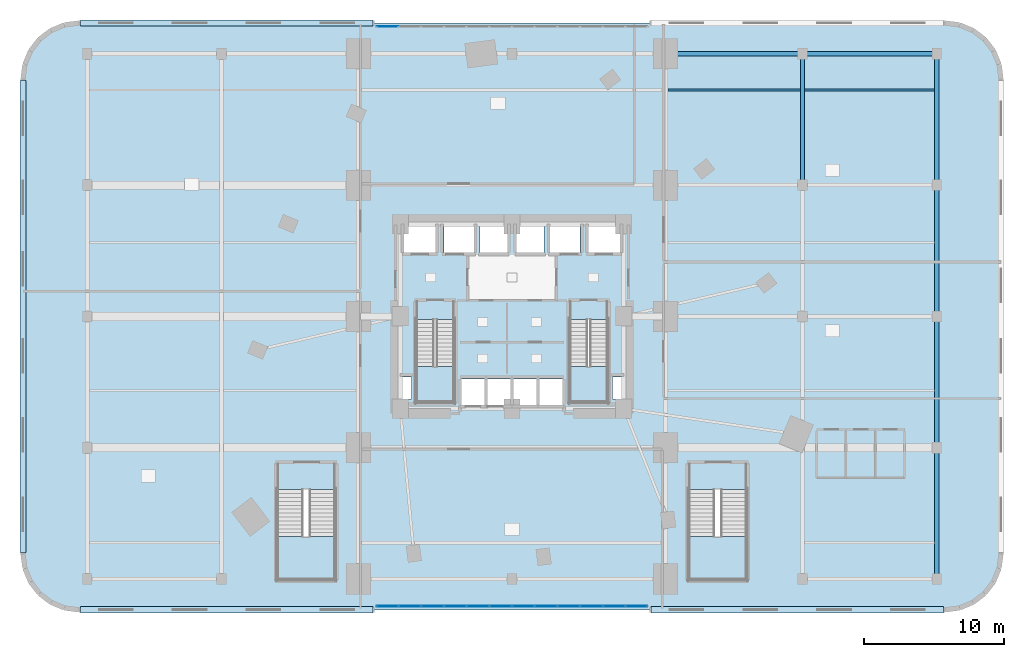
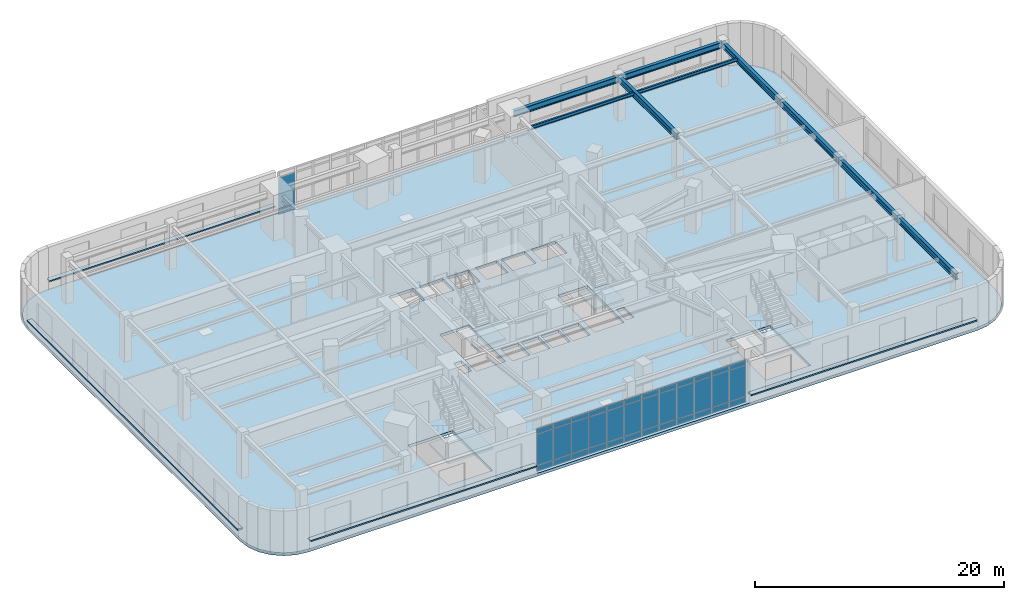
# One storey, part 11 of 19: 42 plates, 9 beams, 5 slabs, 6 elements without a shape of their own.
"""IFC4 building model written with IfcOpenShell, lengths in metres."""

from ifc_helpers import new_model, si_unit, direction, frame, origin, origin_2d, place, context, subcontext, project, spatial, polyline, rectangle, i_section, outline, extrude, material, layer, layer_set, material_profile, profile_set, type_object, element, aggregate, save


model = new_model("IFC4")

# Units and contexts
model_context = context("Model", 3, precision=1e-05, world=origin(), true_north=direction((0.0, 1.0)))
body_context = subcontext(model_context, "Body", "Model", "MODEL_VIEW")
ifc_project = project(units=[si_unit("LENGTHUNIT", "METRE"), si_unit("AREAUNIT", "SQUARE_METRE"), si_unit("VOLUMEUNIT", "CUBIC_METRE"), si_unit("PLANEANGLEUNIT", "RADIAN"), si_unit("MASSUNIT", "GRAM", prefix="KILO")], contexts=[model_context])

# Site, building, storey
site_placement = place(None, origin())
site = spatial("IfcSite", under=ifc_project, at=site_placement, CompositionType="ELEMENT")
building_placement = place(site_placement, origin())
building = spatial("IfcBuilding", under=site, at=building_placement, Name="Ndelora Gate Hotel", CompositionType="ELEMENT")
storey_placement = place(building_placement, frame((0.0, 0.0, 21.5)))
storey = spatial("IfcBuildingStorey", under=building, at=storey_placement, Name="L04", CompositionType="ELEMENT", Elevation=21.5)

# Beams
ifc_material_1 = material(Name="Steel S355", Category="steel")
ifc_material_profile_1 = material_profile(ifc_material_1, i_section(OverallWidth=0.159912109375, OverallDepth=0.330078125, WebThickness=0.007568359375, FlangeThickness=0.011474609375, FilletRadius=0.01806640625, at=origin_2d()), Name="IPE 330")
ifc_profile_set_1 = profile_set([ifc_material_profile_1], Name="Steel S355")
beam_type_1 = type_object("IfcBeamType", Name="BM-JST-330", PredefinedType="JOIST", material=ifc_profile_set_1)
beam_1_placement = place(storey_placement, frame((11.14990234375, 16.199951171875, 4.054931640625), z_axis=(1.0, 0.0, 0.0), x_axis=(0.0, 1.0, 0.0)))
element("IfcBeam", 1, at=beam_1_placement, inside=storey, type_object=beam_type_1, Name="L04 Podium Composite Secondary Joist 4", PredefinedType="JOIST", context=body_context, shape_type="SweptSolid", body=[
    extrude(i_section(OverallWidth=0.159912109375, OverallDepth=0.330078125, WebThickness=0.007568359375, FlangeThickness=0.011474609375, FilletRadius=0.01806640625, at=origin_2d()), origin(), (0.0, 0.0, 1.0), 9.5),
])
beam_2_placement = place(storey_placement, frame((20.949951171875, 16.199951171875, 4.054931640625), z_axis=(1.0, 0.0, 0.0), x_axis=(0.0, 1.0, 0.0)))
element("IfcBeam", 2, at=beam_2_placement, inside=storey, type_object=beam_type_1, Name="L04 Podium Composite Secondary Joist 5", PredefinedType="JOIST", context=body_context, shape_type="SweptSolid", body=[
    extrude(i_section(OverallWidth=0.159912109375, OverallDepth=0.330078125, WebThickness=0.007568359375, FlangeThickness=0.011474609375, FilletRadius=0.01806640625, at=origin_2d()), origin(), (0.0, 0.0, 1.0), 9.300048828125),
])
ifc_material_profile_2 = material_profile(ifc_material_1, i_section(OverallWidth=0.300048828125, OverallDepth=0.60009765625, WebThickness=0.015380859375, FlangeThickness=0.030029296875, FilletRadius=0.027099609375, at=origin_2d()), Name="HEB 600")
ifc_profile_set_2 = profile_set([ifc_material_profile_2], Name="Steel S355")
beam_type_2 = type_object("IfcBeamType", Name="BM-POD-600", PredefinedType="BEAM", material=ifc_profile_set_2)
for number, where, z_axis, x_axis, name in (
    (3, (20.800048828125, 9.39990234375, 3.919921875), (0.0, 1.0, 0.0), (-1.0, 0.0, 0.0), "L04 Podium Longitudinal Girder X=+20.8"),
    (4, (30.39990234375, -18.800048828125, 3.919921875), (0.0, 1.0, 0.0), (-1.0, 0.0, 0.0), "L04 Podium Longitudinal Girder X=+30.4"),
):
    element("IfcBeam", number, at=place(storey_placement, frame(where, z_axis=z_axis, x_axis=x_axis)), inside=storey, type_object=beam_type_2, Name=name, PredefinedType="BEAM", context=body_context, shape_type="SweptSolid", body=[
        extrude(i_section(OverallWidth=0.300048828125, OverallDepth=0.60009765625, WebThickness=0.015380859375, FlangeThickness=0.030029296875, FilletRadius=0.027099609375, at=origin_2d()), origin(), (0.0, 0.0, 1.0), 9.400146484375),
    ])
for number, where, z_axis, x_axis, name in (
    (5, (30.39990234375, -9.39990234375, 3.919921875), (0.0, 1.0, 0.0), (-1.0, 0.0, 0.0), "L04 Podium Longitudinal Girder X=+30.4"),
    (6, (30.39990234375, 0.0, 3.919921875), (0.0, 1.0, 0.0), (-1.0, 0.0, 0.0), "L04 Podium Longitudinal Girder X=+30.4"),
):
    element("IfcBeam", number, at=place(storey_placement, frame(where, z_axis=z_axis, x_axis=x_axis)), inside=storey, type_object=beam_type_2, Name=name, PredefinedType="BEAM", context=body_context, shape_type="SweptSolid", body=[
        extrude(i_section(OverallWidth=0.300048828125, OverallDepth=0.60009765625, WebThickness=0.015380859375, FlangeThickness=0.030029296875, FilletRadius=0.027099609375, at=origin_2d()), origin(), (0.0, 0.0, 1.0), 9.39990234375),
    ])
beam_3_placement = place(storey_placement, frame((30.39990234375, 9.39990234375, 3.919921875), z_axis=(0.0, 1.0, 0.0), x_axis=(-1.0, 0.0, 0.0)))
element("IfcBeam", 7, at=beam_3_placement, inside=storey, type_object=beam_type_2, Name="L04 Podium Longitudinal Girder X=+30.4", PredefinedType="BEAM", context=body_context, shape_type="SweptSolid", body=[
    extrude(i_section(OverallWidth=0.300048828125, OverallDepth=0.60009765625, WebThickness=0.015380859375, FlangeThickness=0.030029296875, FilletRadius=0.027099609375, at=origin_2d()), origin(), (0.0, 0.0, 1.0), 9.400146484375),
])
beam_4_placement = place(storey_placement, frame((11.0, 18.800048828125, 3.919921875), z_axis=(1.0, 0.0, 0.0), x_axis=(0.0, 1.0, 0.0)))
element("IfcBeam", 8, at=beam_4_placement, inside=storey, type_object=beam_type_2, Name="L04 Podium Transverse Girder Y=+18.8", PredefinedType="BEAM", context=body_context, shape_type="SweptSolid", body=[
    extrude(i_section(OverallWidth=0.300048828125, OverallDepth=0.60009765625, WebThickness=0.015380859375, FlangeThickness=0.030029296875, FilletRadius=0.027099609375, at=origin_2d()), origin(), (0.0, 0.0, 1.0), 9.800048828125),
])
beam_5_placement = place(storey_placement, frame((20.800048828125, 18.800048828125, 3.919921875), z_axis=(1.0, 0.0, 0.0), x_axis=(0.0, 1.0, 0.0)))
element("IfcBeam", 9, at=beam_5_placement, inside=storey, type_object=beam_type_2, Name="L04 Podium Transverse Girder Y=+18.8", PredefinedType="BEAM", context=body_context, shape_type="SweptSolid", body=[
    extrude(i_section(OverallWidth=0.300048828125, OverallDepth=0.60009765625, WebThickness=0.015380859375, FlangeThickness=0.030029296875, FilletRadius=0.027099609375, at=origin_2d()), origin(), (0.0, 0.0, 1.0), 9.599853515625),
])

# Curtain wall, plates
ifc_material_2 = material(Name="Bronze Anodised Unitised Aluminium and Low-E Glass", Category="aluminium")
ifc_layer_1 = layer(ifc_material_2, 0.219970703125)
ifc_layer_set_1 = layer_set([ifc_layer_1], Name="Bronze Anodised Unitised Aluminium and Low-E Glass")
curtain_wall_type = type_object("IfcCurtainWallType", Name="CW-SYS-2", PredefinedType="NOTDEFINED", material=ifc_layer_set_1)
curtain_wall_1_placement = place(storey_placement, origin())
curtain_wall_1 = element("IfcCurtainWall", 10, at=curtain_wall_1_placement, inside=storey, type_object=curtain_wall_type, Name="L04 South Podium Foyer Curtain Wall CW2", PredefinedType="NOTDEFINED")
ifc_material_3 = material(Name="Solar-Control Low-E Insulated Glazing", Category="glass")
ifc_layer_2 = layer(ifc_material_3, 0.048095703125)
ifc_layer_set_2 = layer_set([ifc_layer_2], Name="Solar-Control Low-E Insulated Glazing")
plate_type_1 = type_object("IfcPlateType", Name="PL-CW-GLZ36", PredefinedType="CURTAIN_PANEL", material=ifc_layer_set_2)
plate_1_placement = place(storey_placement, frame((-8.919921875, -20.75, 0.05908203125), z_axis=(0.0, 0.0, 1.0), x_axis=(1.0, 0.0, 0.0)))
plate_1 = element("IfcPlate", 11, at=plate_1_placement, type_object=plate_type_1, Name="CW2 panel 1.1", PredefinedType="CURTAIN_PANEL", context=body_context, shape_type="SweptSolid", body=[
    extrude(rectangle(XDim=1.531982421875, YDim=0.048095703125, at=origin_2d()), origin(), (0.0, 0.0, 1.0), 0.514404296875),
])
plate_2_placement = place(storey_placement, frame((-8.919921875, -20.75, 0.62646484375), z_axis=(0.0, 0.0, 1.0), x_axis=(1.0, 0.0, 0.0)))
plate_2 = element("IfcPlate", 12, at=plate_2_placement, type_object=plate_type_1, Name="CW2 panel 1.2", PredefinedType="CURTAIN_PANEL", context=body_context, shape_type="SweptSolid", body=[
    extrude(rectangle(XDim=1.531982421875, YDim=0.048095703125, at=origin_2d()), origin(), (0.0, 0.0, 1.0), 3.01708984375),
])
plate_3_placement = place(storey_placement, frame((-8.919921875, -20.75, 3.6962890625), z_axis=(0.0, 0.0, 1.0), x_axis=(1.0, 0.0, 0.0)))
plate_3 = element("IfcPlate", 13, at=plate_3_placement, type_object=plate_type_1, Name="CW2 panel 1.3", PredefinedType="CURTAIN_PANEL", context=body_context, shape_type="SweptSolid", body=[
    extrude(rectangle(XDim=1.531982421875, YDim=0.048095703125, at=origin_2d()), origin(), (0.0, 0.0, 1.0), 0.464599609375),
])
plate_4_placement = place(storey_placement, frame((-7.3125, -20.75, 0.05908203125), z_axis=(0.0, 0.0, 1.0), x_axis=(1.0, 0.0, 0.0)))
plate_4 = element("IfcPlate", 14, at=plate_4_placement, type_object=plate_type_1, Name="CW2 panel 2.1", PredefinedType="CURTAIN_PANEL", context=body_context, shape_type="SweptSolid", body=[
    extrude(rectangle(XDim=1.56689453125, YDim=0.048095703125, at=origin_2d()), origin(), (0.0, 0.0, 1.0), 0.514404296875),
])
plate_5_placement = place(storey_placement, frame((-7.3125, -20.75, 0.62646484375), z_axis=(0.0, 0.0, 1.0), x_axis=(1.0, 0.0, 0.0)))
plate_5 = element("IfcPlate", 15, at=plate_5_placement, type_object=plate_type_1, Name="CW2 panel 2.2", PredefinedType="CURTAIN_PANEL", context=body_context, shape_type="SweptSolid", body=[
    extrude(rectangle(XDim=1.56689453125, YDim=0.048095703125, at=origin_2d()), origin(), (0.0, 0.0, 1.0), 3.01708984375),
])
plate_6_placement = place(storey_placement, frame((-7.3125, -20.75, 3.6962890625), z_axis=(0.0, 0.0, 1.0), x_axis=(1.0, 0.0, 0.0)))
plate_6 = element("IfcPlate", 16, at=plate_6_placement, type_object=plate_type_1, Name="CW2 panel 2.3", PredefinedType="CURTAIN_PANEL", context=body_context, shape_type="SweptSolid", body=[
    extrude(rectangle(XDim=1.56689453125, YDim=0.048095703125, at=origin_2d()), origin(), (0.0, 0.0, 1.0), 0.464599609375),
])
plate_7_placement = place(storey_placement, frame((-5.6875, -20.75, 0.05908203125), z_axis=(0.0, 0.0, 1.0), x_axis=(1.0, 0.0, 0.0)))
plate_7 = element("IfcPlate", 17, at=plate_7_placement, type_object=plate_type_1, Name="CW2 panel 3.1", PredefinedType="CURTAIN_PANEL", context=body_context, shape_type="SweptSolid", body=[
    extrude(rectangle(XDim=1.56689453125, YDim=0.048095703125, at=origin_2d()), origin(), (0.0, 0.0, 1.0), 0.514404296875),
])
plate_8_placement = place(storey_placement, frame((-5.6875, -20.75, 0.62646484375), z_axis=(0.0, 0.0, 1.0), x_axis=(1.0, 0.0, 0.0)))
plate_8 = element("IfcPlate", 18, at=plate_8_placement, type_object=plate_type_1, Name="CW2 panel 3.2", PredefinedType="CURTAIN_PANEL", context=body_context, shape_type="SweptSolid", body=[
    extrude(rectangle(XDim=1.56689453125, YDim=0.048095703125, at=origin_2d()), origin(), (0.0, 0.0, 1.0), 3.01708984375),
])
plate_9_placement = place(storey_placement, frame((-5.6875, -20.75, 3.6962890625), z_axis=(0.0, 0.0, 1.0), x_axis=(1.0, 0.0, 0.0)))
plate_9 = element("IfcPlate", 19, at=plate_9_placement, type_object=plate_type_1, Name="CW2 panel 3.3", PredefinedType="CURTAIN_PANEL", context=body_context, shape_type="SweptSolid", body=[
    extrude(rectangle(XDim=1.56689453125, YDim=0.048095703125, at=origin_2d()), origin(), (0.0, 0.0, 1.0), 0.464599609375),
])
plate_10_placement = place(storey_placement, frame((-4.0625, -20.75, 0.05908203125), z_axis=(0.0, 0.0, 1.0), x_axis=(1.0, 0.0, 0.0)))
plate_10 = element("IfcPlate", 20, at=plate_10_placement, type_object=plate_type_1, Name="CW2 panel 4.1", PredefinedType="CURTAIN_PANEL", context=body_context, shape_type="SweptSolid", body=[
    extrude(rectangle(XDim=1.56689453125, YDim=0.048095703125, at=origin_2d()), origin(), (0.0, 0.0, 1.0), 0.514404296875),
])
plate_11_placement = place(storey_placement, frame((-4.0625, -20.75, 0.62646484375), z_axis=(0.0, 0.0, 1.0), x_axis=(1.0, 0.0, 0.0)))
plate_11 = element("IfcPlate", 21, at=plate_11_placement, type_object=plate_type_1, Name="CW2 panel 4.2", PredefinedType="CURTAIN_PANEL", context=body_context, shape_type="SweptSolid", body=[
    extrude(rectangle(XDim=1.56689453125, YDim=0.048095703125, at=origin_2d()), origin(), (0.0, 0.0, 1.0), 3.01708984375),
])
plate_12_placement = place(storey_placement, frame((-4.0625, -20.75, 3.6962890625), z_axis=(0.0, 0.0, 1.0), x_axis=(1.0, 0.0, 0.0)))
plate_12 = element("IfcPlate", 22, at=plate_12_placement, type_object=plate_type_1, Name="CW2 panel 4.3", PredefinedType="CURTAIN_PANEL", context=body_context, shape_type="SweptSolid", body=[
    extrude(rectangle(XDim=1.56689453125, YDim=0.048095703125, at=origin_2d()), origin(), (0.0, 0.0, 1.0), 0.464599609375),
])
plate_13_placement = place(storey_placement, frame((-2.4375, -20.75, 0.05908203125), z_axis=(0.0, 0.0, 1.0), x_axis=(1.0, 0.0, 0.0)))
plate_13 = element("IfcPlate", 23, at=plate_13_placement, type_object=plate_type_1, Name="CW2 panel 5.1", PredefinedType="CURTAIN_PANEL", context=body_context, shape_type="SweptSolid", body=[
    extrude(rectangle(XDim=1.56689453125, YDim=0.048095703125, at=origin_2d()), origin(), (0.0, 0.0, 1.0), 0.514404296875),
])
plate_14_placement = place(storey_placement, frame((-2.4375, -20.75, 0.62646484375), z_axis=(0.0, 0.0, 1.0), x_axis=(1.0, 0.0, 0.0)))
plate_14 = element("IfcPlate", 24, at=plate_14_placement, type_object=plate_type_1, Name="CW2 panel 5.2", PredefinedType="CURTAIN_PANEL", context=body_context, shape_type="SweptSolid", body=[
    extrude(rectangle(XDim=1.56689453125, YDim=0.048095703125, at=origin_2d()), origin(), (0.0, 0.0, 1.0), 3.01708984375),
])
plate_15_placement = place(storey_placement, frame((-2.4375, -20.75, 3.6962890625), z_axis=(0.0, 0.0, 1.0), x_axis=(1.0, 0.0, 0.0)))
plate_15 = element("IfcPlate", 25, at=plate_15_placement, type_object=plate_type_1, Name="CW2 panel 5.3", PredefinedType="CURTAIN_PANEL", context=body_context, shape_type="SweptSolid", body=[
    extrude(rectangle(XDim=1.56689453125, YDim=0.048095703125, at=origin_2d()), origin(), (0.0, 0.0, 1.0), 0.464599609375),
])
plate_16_placement = place(storey_placement, frame((-0.8125, -20.75, 0.05908203125), z_axis=(0.0, 0.0, 1.0), x_axis=(1.0, 0.0, 0.0)))
plate_16 = element("IfcPlate", 26, at=plate_16_placement, type_object=plate_type_1, Name="CW2 panel 6.1", PredefinedType="CURTAIN_PANEL", context=body_context, shape_type="SweptSolid", body=[
    extrude(rectangle(XDim=1.56689453125, YDim=0.048095703125, at=origin_2d()), origin(), (0.0, 0.0, 1.0), 0.514404296875),
])
plate_17_placement = place(storey_placement, frame((-0.8125, -20.75, 0.62646484375), z_axis=(0.0, 0.0, 1.0), x_axis=(1.0, 0.0, 0.0)))
plate_17 = element("IfcPlate", 27, at=plate_17_placement, type_object=plate_type_1, Name="CW2 panel 6.2", PredefinedType="CURTAIN_PANEL", context=body_context, shape_type="SweptSolid", body=[
    extrude(rectangle(XDim=1.56689453125, YDim=0.048095703125, at=origin_2d()), origin(), (0.0, 0.0, 1.0), 3.01708984375),
])
plate_18_placement = place(storey_placement, frame((-0.8125, -20.75, 3.6962890625), z_axis=(0.0, 0.0, 1.0), x_axis=(1.0, 0.0, 0.0)))
plate_18 = element("IfcPlate", 28, at=plate_18_placement, type_object=plate_type_1, Name="CW2 panel 6.3", PredefinedType="CURTAIN_PANEL", context=body_context, shape_type="SweptSolid", body=[
    extrude(rectangle(XDim=1.56689453125, YDim=0.048095703125, at=origin_2d()), origin(), (0.0, 0.0, 1.0), 0.464599609375),
])
plate_19_placement = place(storey_placement, frame((0.8125, -20.75, 0.05908203125), z_axis=(0.0, 0.0, 1.0), x_axis=(1.0, 0.0, 0.0)))
plate_19 = element("IfcPlate", 29, at=plate_19_placement, type_object=plate_type_1, Name="CW2 panel 7.1", PredefinedType="CURTAIN_PANEL", context=body_context, shape_type="SweptSolid", body=[
    extrude(rectangle(XDim=1.56689453125, YDim=0.048095703125, at=origin_2d()), origin(), (0.0, 0.0, 1.0), 0.514404296875),
])
plate_20_placement = place(storey_placement, frame((0.8125, -20.75, 0.62646484375), z_axis=(0.0, 0.0, 1.0), x_axis=(1.0, 0.0, 0.0)))
plate_20 = element("IfcPlate", 30, at=plate_20_placement, type_object=plate_type_1, Name="CW2 panel 7.2", PredefinedType="CURTAIN_PANEL", context=body_context, shape_type="SweptSolid", body=[
    extrude(rectangle(XDim=1.56689453125, YDim=0.048095703125, at=origin_2d()), origin(), (0.0, 0.0, 1.0), 3.01708984375),
])
plate_21_placement = place(storey_placement, frame((0.8125, -20.75, 3.6962890625), z_axis=(0.0, 0.0, 1.0), x_axis=(1.0, 0.0, 0.0)))
plate_21 = element("IfcPlate", 31, at=plate_21_placement, type_object=plate_type_1, Name="CW2 panel 7.3", PredefinedType="CURTAIN_PANEL", context=body_context, shape_type="SweptSolid", body=[
    extrude(rectangle(XDim=1.56689453125, YDim=0.048095703125, at=origin_2d()), origin(), (0.0, 0.0, 1.0), 0.464599609375),
])
plate_22_placement = place(storey_placement, frame((2.4375, -20.75, 0.05908203125), z_axis=(0.0, 0.0, 1.0), x_axis=(1.0, 0.0, 0.0)))
plate_22 = element("IfcPlate", 32, at=plate_22_placement, type_object=plate_type_1, Name="CW2 panel 8.1", PredefinedType="CURTAIN_PANEL", context=body_context, shape_type="SweptSolid", body=[
    extrude(rectangle(XDim=1.56689453125, YDim=0.048095703125, at=origin_2d()), origin(), (0.0, 0.0, 1.0), 0.514404296875),
])
plate_23_placement = place(storey_placement, frame((2.4375, -20.75, 0.62646484375), z_axis=(0.0, 0.0, 1.0), x_axis=(1.0, 0.0, 0.0)))
plate_23 = element("IfcPlate", 33, at=plate_23_placement, type_object=plate_type_1, Name="CW2 panel 8.2", PredefinedType="CURTAIN_PANEL", context=body_context, shape_type="SweptSolid", body=[
    extrude(rectangle(XDim=1.56689453125, YDim=0.048095703125, at=origin_2d()), origin(), (0.0, 0.0, 1.0), 3.01708984375),
])
plate_24_placement = place(storey_placement, frame((2.4375, -20.75, 3.6962890625), z_axis=(0.0, 0.0, 1.0), x_axis=(1.0, 0.0, 0.0)))
plate_24 = element("IfcPlate", 34, at=plate_24_placement, type_object=plate_type_1, Name="CW2 panel 8.3", PredefinedType="CURTAIN_PANEL", context=body_context, shape_type="SweptSolid", body=[
    extrude(rectangle(XDim=1.56689453125, YDim=0.048095703125, at=origin_2d()), origin(), (0.0, 0.0, 1.0), 0.464599609375),
])
plate_25_placement = place(storey_placement, frame((4.0625, -20.75, 0.05908203125), z_axis=(0.0, 0.0, 1.0), x_axis=(1.0, 0.0, 0.0)))
plate_25 = element("IfcPlate", 35, at=plate_25_placement, type_object=plate_type_1, Name="CW2 panel 9.1", PredefinedType="CURTAIN_PANEL", context=body_context, shape_type="SweptSolid", body=[
    extrude(rectangle(XDim=1.56689453125, YDim=0.048095703125, at=origin_2d()), origin(), (0.0, 0.0, 1.0), 0.514404296875),
])
plate_26_placement = place(storey_placement, frame((4.0625, -20.75, 0.62646484375), z_axis=(0.0, 0.0, 1.0), x_axis=(1.0, 0.0, 0.0)))
plate_26 = element("IfcPlate", 36, at=plate_26_placement, type_object=plate_type_1, Name="CW2 panel 9.2", PredefinedType="CURTAIN_PANEL", context=body_context, shape_type="SweptSolid", body=[
    extrude(rectangle(XDim=1.56689453125, YDim=0.048095703125, at=origin_2d()), origin(), (0.0, 0.0, 1.0), 3.01708984375),
])
plate_27_placement = place(storey_placement, frame((4.0625, -20.75, 3.6962890625), z_axis=(0.0, 0.0, 1.0), x_axis=(1.0, 0.0, 0.0)))
plate_27 = element("IfcPlate", 37, at=plate_27_placement, type_object=plate_type_1, Name="CW2 panel 9.3", PredefinedType="CURTAIN_PANEL", context=body_context, shape_type="SweptSolid", body=[
    extrude(rectangle(XDim=1.56689453125, YDim=0.048095703125, at=origin_2d()), origin(), (0.0, 0.0, 1.0), 0.464599609375),
])
plate_28_placement = place(storey_placement, frame((5.6875, -20.75, 0.05908203125), z_axis=(0.0, 0.0, 1.0), x_axis=(1.0, 0.0, 0.0)))
plate_28 = element("IfcPlate", 38, at=plate_28_placement, type_object=plate_type_1, Name="CW2 panel 10.1", PredefinedType="CURTAIN_PANEL", context=body_context, shape_type="SweptSolid", body=[
    extrude(rectangle(XDim=1.56689453125, YDim=0.048095703125, at=origin_2d()), origin(), (0.0, 0.0, 1.0), 0.514404296875),
])
plate_29_placement = place(storey_placement, frame((5.6875, -20.75, 0.62646484375), z_axis=(0.0, 0.0, 1.0), x_axis=(1.0, 0.0, 0.0)))
plate_29 = element("IfcPlate", 39, at=plate_29_placement, type_object=plate_type_1, Name="CW2 panel 10.2", PredefinedType="CURTAIN_PANEL", context=body_context, shape_type="SweptSolid", body=[
    extrude(rectangle(XDim=1.56689453125, YDim=0.048095703125, at=origin_2d()), origin(), (0.0, 0.0, 1.0), 3.01708984375),
])
plate_30_placement = place(storey_placement, frame((5.6875, -20.75, 3.6962890625), z_axis=(0.0, 0.0, 1.0), x_axis=(1.0, 0.0, 0.0)))
plate_30 = element("IfcPlate", 40, at=plate_30_placement, type_object=plate_type_1, Name="CW2 panel 10.3", PredefinedType="CURTAIN_PANEL", context=body_context, shape_type="SweptSolid", body=[
    extrude(rectangle(XDim=1.56689453125, YDim=0.048095703125, at=origin_2d()), origin(), (0.0, 0.0, 1.0), 0.464599609375),
])
plate_31_placement = place(storey_placement, frame((7.3125, -20.75, 0.05908203125), z_axis=(0.0, 0.0, 1.0), x_axis=(1.0, 0.0, 0.0)))
plate_31 = element("IfcPlate", 41, at=plate_31_placement, type_object=plate_type_1, Name="CW2 panel 11.1", PredefinedType="CURTAIN_PANEL", context=body_context, shape_type="SweptSolid", body=[
    extrude(rectangle(XDim=1.56689453125, YDim=0.048095703125, at=origin_2d()), origin(), (0.0, 0.0, 1.0), 0.514404296875),
])
plate_32_placement = place(storey_placement, frame((7.3125, -20.75, 0.62646484375), z_axis=(0.0, 0.0, 1.0), x_axis=(1.0, 0.0, 0.0)))
plate_32 = element("IfcPlate", 42, at=plate_32_placement, type_object=plate_type_1, Name="CW2 panel 11.2", PredefinedType="CURTAIN_PANEL", context=body_context, shape_type="SweptSolid", body=[
    extrude(rectangle(XDim=1.56689453125, YDim=0.048095703125, at=origin_2d()), origin(), (0.0, 0.0, 1.0), 3.01708984375),
])
plate_33_placement = place(storey_placement, frame((7.3125, -20.75, 3.6962890625), z_axis=(0.0, 0.0, 1.0), x_axis=(1.0, 0.0, 0.0)))
plate_33 = element("IfcPlate", 43, at=plate_33_placement, type_object=plate_type_1, Name="CW2 panel 11.3", PredefinedType="CURTAIN_PANEL", context=body_context, shape_type="SweptSolid", body=[
    extrude(rectangle(XDim=1.56689453125, YDim=0.048095703125, at=origin_2d()), origin(), (0.0, 0.0, 1.0), 0.464599609375),
])
plate_34_placement = place(storey_placement, frame((8.919921875, -20.75, 0.05908203125), z_axis=(0.0, 0.0, 1.0), x_axis=(1.0, 0.0, 0.0)))
plate_34 = element("IfcPlate", 44, at=plate_34_placement, type_object=plate_type_1, Name="CW2 panel 12.1", PredefinedType="CURTAIN_PANEL", context=body_context, shape_type="SweptSolid", body=[
    extrude(rectangle(XDim=1.531982421875, YDim=0.048095703125, at=origin_2d()), origin(), (0.0, 0.0, 1.0), 0.514404296875),
])
plate_35_placement = place(storey_placement, frame((8.919921875, -20.75, 0.62646484375), z_axis=(0.0, 0.0, 1.0), x_axis=(1.0, 0.0, 0.0)))
plate_35 = element("IfcPlate", 45, at=plate_35_placement, type_object=plate_type_1, Name="CW2 panel 12.2", PredefinedType="CURTAIN_PANEL", context=body_context, shape_type="SweptSolid", body=[
    extrude(rectangle(XDim=1.531982421875, YDim=0.048095703125, at=origin_2d()), origin(), (0.0, 0.0, 1.0), 3.01708984375),
])
plate_36_placement = place(storey_placement, frame((8.919921875, -20.75, 3.6962890625), z_axis=(0.0, 0.0, 1.0), x_axis=(1.0, 0.0, 0.0)))
plate_36 = element("IfcPlate", 46, at=plate_36_placement, type_object=plate_type_1, Name="CW2 panel 12.3", PredefinedType="CURTAIN_PANEL", context=body_context, shape_type="SweptSolid", body=[
    extrude(rectangle(XDim=1.531982421875, YDim=0.048095703125, at=origin_2d()), origin(), (0.0, 0.0, 1.0), 0.464599609375),
])
aggregate(curtain_wall_1, [plate_1, plate_2, plate_3, plate_4, plate_5, plate_6, plate_7, plate_8, plate_9, plate_10, plate_11, plate_12, plate_13, plate_14, plate_15, plate_16, plate_17, plate_18, plate_19, plate_20, plate_21, plate_22, plate_23, plate_24, plate_25, plate_26, plate_27, plate_28, plate_29, plate_30, plate_31, plate_32, plate_33, plate_34, plate_35, plate_36])

curtain_wall_2_placement = place(storey_placement, origin())
curtain_wall_2 = element("IfcCurtainWall", 47, at=curtain_wall_2_placement, inside=storey, type_object=curtain_wall_type, Name="L04 North Banquet Pre-Function Curtain Wall CW2", PredefinedType="NOTDEFINED")
plate_37_placement = place(storey_placement, frame((-8.919921875, 20.75, 0.05908203125), z_axis=(0.0, 0.0, 1.0), x_axis=(-1.0, 0.0, 0.0)))
plate_37 = element("IfcPlate", 48, at=plate_37_placement, type_object=plate_type_1, Name="CW2 panel 12.1", PredefinedType="CURTAIN_PANEL", context=body_context, shape_type="SweptSolid", body=[
    extrude(rectangle(XDim=1.531982421875, YDim=0.048095703125, at=origin_2d()), origin(), (0.0, 0.0, 1.0), 0.514404296875),
])
plate_38_placement = place(storey_placement, frame((-8.919921875, 20.75, 0.62646484375), z_axis=(0.0, 0.0, 1.0), x_axis=(-1.0, 0.0, 0.0)))
plate_38 = element("IfcPlate", 49, at=plate_38_placement, type_object=plate_type_1, Name="CW2 panel 12.2", PredefinedType="CURTAIN_PANEL", context=body_context, shape_type="SweptSolid", body=[
    extrude(rectangle(XDim=1.531982421875, YDim=0.048095703125, at=origin_2d()), origin(), (0.0, 0.0, 1.0), 3.01708984375),
])
aggregate(curtain_wall_2, [plate_37, plate_38])

# Plates
ifc_material_4 = material(Name="Precast concrete C40/50", Category="concrete")
ifc_layer_3 = layer(ifc_material_4, 0.125)
ifc_layer_set_3 = layer_set([ifc_layer_3], Name="Precast concrete C40/50")
plate_type_2 = type_object("IfcPlateType", Name="PL-SILL-120", PredefinedType="USERDEFINED", material=ifc_layer_set_3)
plate_39_placement = place(storey_placement, frame((-20.425048828125, 21.0, 0.8173828125), z_axis=(0.0, 0.0, 1.0), x_axis=(1.0, 0.0, 0.0)))
element("IfcPlate", 50, at=plate_39_placement, inside=storey, type_object=plate_type_2, Name="L04 Precast Concrete Ribbon Sill Band 14", ObjectType="RIBBON_SILL", PredefinedType="USERDEFINED", context=body_context, shape_type="SweptSolid", body=[
    extrude(rectangle(XDim=20.949951171875, YDim=0.43994140625, at=origin_2d()), origin(), (0.0, 0.0, 1.0), 0.125),
])
plate_40_placement = place(storey_placement, frame((-35.0, 0.0, 0.8173828125), z_axis=(0.0, 0.0, 1.0), x_axis=(0.0, 1.0, 0.0)))
element("IfcPlate", 51, at=plate_40_placement, inside=storey, type_object=plate_type_2, Name="L04 Precast Concrete Ribbon Sill Band 22", ObjectType="RIBBON_SILL", PredefinedType="USERDEFINED", context=body_context, shape_type="SweptSolid", body=[
    extrude(rectangle(XDim=33.800048828125, YDim=0.43994140625, at=origin_2d()), origin(), (0.0, 0.0, 1.0), 0.125),
])
for number, where, z_axis, x_axis, name in (
    (52, (-20.425048828125, -21.0, 0.8173828125), (0.0, 0.0, 1.0), (1.0, 0.0, 0.0), "L04 Precast Concrete Ribbon Sill Band 29"),
    (53, (20.425048828125, -21.0, 0.8173828125), (0.0, 0.0, 1.0), (1.0, 0.0, 0.0), "L04 Precast Concrete Ribbon Sill Band 30"),
):
    element("IfcPlate", number, at=place(storey_placement, frame(where, z_axis=z_axis, x_axis=x_axis)), inside=storey, type_object=plate_type_2, Name=name, ObjectType="RIBBON_SILL", PredefinedType="USERDEFINED", context=body_context, shape_type="SweptSolid", body=[
        extrude(rectangle(XDim=20.949951171875, YDim=0.43994140625, at=origin_2d()), origin(), (0.0, 0.0, 1.0), 0.125),
    ])

# Stair, slab
stair_type_1 = type_object("IfcStairType", Name="STR-DOG-CORE", PredefinedType="HALF_TURN_STAIR", material=ifc_material_4)
stair_1_placement = place(storey_placement, origin())
stair_1 = element("IfcStair", 54, at=stair_1_placement, inside=storey, type_object=stair_type_1, Name="L04 Protected Core Exit Stair ST4", PredefinedType="HALF_TURN_STAIR")
ifc_layer_4 = layer(ifc_material_4, 0.219970703125)
ifc_layer_set_4 = layer_set([ifc_layer_4], Name="Precast concrete C40/50")
slab_type_1 = type_object("IfcSlabType", Name="SL-LAND-220", PredefinedType="LANDING", material=ifc_layer_set_4)
slab_1_placement = place(storey_placement, frame((0.0, 0.0, 2.050048828125)))
slab_1 = element("IfcSlab", 55, at=slab_1_placement, type_object=slab_type_1, Name="ST4 landing 1", PredefinedType="LANDING", context=body_context, shape_type="SweptSolid", body=[
    extrude(outline(polyline([(-6.85009765625, -3.590087890625), (-6.85009765625, -6.14990234375), (-4.1298828125, -6.14990234375), (-4.1298828125, -3.590087890625), (-6.85009765625, -3.590087890625)])), origin(), (0.0, 0.0, 1.0), 0.199951171875),
])
aggregate(stair_1, [slab_1])

stair_2_placement = place(storey_placement, origin())
stair_2 = element("IfcStair", 56, at=stair_2_placement, inside=storey, type_object=stair_type_1, Name="L04 Protected Core Exit Stair ST5", PredefinedType="HALF_TURN_STAIR")
slab_2_placement = place(storey_placement, frame((0.0, 0.0, 2.050048828125)))
slab_2 = element("IfcSlab", 57, at=slab_2_placement, type_object=slab_type_1, Name="ST5 landing 1", PredefinedType="LANDING", context=body_context, shape_type="SweptSolid", body=[
    extrude(outline(polyline([(4.1298828125, -3.590087890625), (4.1298828125, -6.14990234375), (6.85009765625, -6.14990234375), (6.85009765625, -3.590087890625), (4.1298828125, -3.590087890625)])), origin(), (0.0, 0.0, 1.0), 0.199951171875),
])
aggregate(stair_2, [slab_2])

stair_type_2 = type_object("IfcStairType", Name="STR-DOG-POD", PredefinedType="HALF_TURN_STAIR", material=ifc_material_4)
stair_3_placement = place(storey_placement, origin())
stair_3 = element("IfcStair", 58, at=stair_3_placement, inside=storey, type_object=stair_type_2, Name="L04 Podium Ballroom Exit Stair ST3A", PredefinedType="HALF_TURN_STAIR")
slab_3_placement = place(storey_placement, frame((0.0, 0.0, 2.050048828125)))
slab_3 = element("IfcSlab", 59, at=slab_3_placement, type_object=slab_type_1, Name="ST3A landing 1", PredefinedType="LANDING", context=body_context, shape_type="SweptSolid", body=[
    extrude(outline(polyline([(-16.800048828125, -15.760009765625), (-16.800048828125, -18.85009765625), (-12.659912109375, -18.85009765625), (-12.659912109375, -15.760009765625), (-16.800048828125, -15.760009765625)])), origin(), (0.0, 0.0, 1.0), 0.199951171875),
])
aggregate(stair_3, [slab_3])

stair_4_placement = place(storey_placement, origin())
stair_4 = element("IfcStair", 60, at=stair_4_placement, inside=storey, type_object=stair_type_2, Name="L04 Podium Conference Exit Stair ST3B", PredefinedType="HALF_TURN_STAIR")
slab_4_placement = place(storey_placement, frame((0.0, 0.0, 2.050048828125)))
slab_4 = element("IfcSlab", 61, at=slab_4_placement, type_object=slab_type_1, Name="ST3B landing 1", PredefinedType="LANDING", context=body_context, shape_type="SweptSolid", body=[
    extrude(outline(polyline([(12.659912109375, -15.760009765625), (12.659912109375, -18.85009765625), (16.800048828125, -18.85009765625), (16.800048828125, -15.760009765625), (12.659912109375, -15.760009765625)])), origin(), (0.0, 0.0, 1.0), 0.199951171875),
])
aggregate(stair_4, [slab_4])

# Slab
ifc_material_5 = material(Name="Concrete C40/50", Category="concrete")
ifc_layer_5 = layer(ifc_material_5, 0.280029296875)
ifc_layer_set_5 = layer_set([ifc_layer_5], Name="Concrete C40/50")
slab_type_2 = type_object("IfcSlabType", Name="SL-POD-280", PredefinedType="FLOOR", material=ifc_layer_set_5)
slab_5_placement = place(storey_placement, frame((0.0, 0.0, -0.280029296875)))
element("IfcSlab", 62, at=slab_5_placement, inside=storey, type_object=slab_type_2, Name="L04 Structural Floor Slab", PredefinedType="FLOOR", context=body_context, shape_type="SweptSolid", body=[
    extrude(outline(polyline([(31.0, -21.0), (32.035400390625, -20.86376953125), (33.0, -20.464111328125), (33.828369140625, -19.828369140625), (34.464111328125, -19.0), (34.86376953125, -18.035400390625), (35.0, -17.0), (35.0, 17.0), (34.86376953125, 18.035400390625), (34.464111328125, 19.0), (33.828369140625, 19.828369140625), (33.0, 20.464111328125), (32.035400390625, 20.86376953125), (31.0, 21.0), (-31.0, 21.0), (-32.035400390625, 20.86376953125), (-33.0, 20.464111328125), (-33.828369140625, 19.828369140625), (-34.464111328125, 19.0), (-34.86376953125, 18.035400390625), (-35.0, 17.0), (-35.0, -17.0), (-34.86376953125, -18.035400390625), (-34.464111328125, -19.0), (-33.828369140625, -19.828369140625), (-33.0, -20.464111328125), (-32.035400390625, -20.86376953125), (-31.0, -21.0), (31.0, -21.0)]), holes=[polyline([(-6.85009765625, -0.22998046875), (-6.85009765625, -6.14990234375), (-4.1298828125, -6.14990234375), (-4.1298828125, -0.22998046875), (-6.85009765625, -0.22998046875)]), polyline([(4.1298828125, -0.22998046875), (4.1298828125, -6.14990234375), (6.85009765625, -6.14990234375), (6.85009765625, -0.22998046875), (4.1298828125, -0.22998046875)]), polyline([(-16.800048828125, -12.39990234375), (-16.800048828125, -18.85009765625), (-12.659912109375, -18.85009765625), (-12.659912109375, -12.39990234375), (-16.800048828125, -12.39990234375)]), polyline([(12.659912109375, -12.39990234375), (12.659912109375, -18.85009765625), (16.800048828125, -18.85009765625), (16.800048828125, -12.39990234375), (12.659912109375, -12.39990234375)]), polyline([(-7.72998046875, 4.570068359375), (-5.469970703125, 4.570068359375), (-5.469970703125, 6.429931640625), (-7.72998046875, 6.429931640625), (-7.72998046875, 4.570068359375)]), polyline([(5.469970703125, 4.570068359375), (7.72998046875, 4.570068359375), (7.72998046875, 6.429931640625), (5.469970703125, 6.429931640625), (5.469970703125, 4.570068359375)]), polyline([(-4.8798828125, 4.570068359375), (-2.719970703125, 4.570068359375), (-2.719970703125, 6.429931640625), (-4.8798828125, 6.429931640625), (-4.8798828125, 4.570068359375)]), polyline([(2.719970703125, 4.570068359375), (4.8798828125, 4.570068359375), (4.8798828125, 6.429931640625), (2.719970703125, 6.429931640625), (2.719970703125, 4.570068359375)]), polyline([(-3.60009765625, -6.330078125), (-1.97998046875, -6.330078125), (-1.97998046875, -4.469970703125), (-3.60009765625, -4.469970703125), (-3.60009765625, -6.330078125)]), polyline([(-1.739990234375, -6.330078125), (-0.1201171875, -6.330078125), (-0.1201171875, -4.469970703125), (-1.739990234375, -4.469970703125), (-1.739990234375, -6.330078125)]), polyline([(0.1201171875, -6.330078125), (1.739990234375, -6.330078125), (1.739990234375, -4.469970703125), (0.1201171875, -4.469970703125), (0.1201171875, -6.330078125)]), polyline([(1.97998046875, -6.330078125), (3.60009765625, -6.330078125), (3.60009765625, -4.469970703125), (1.97998046875, -4.469970703125), (1.97998046875, -6.330078125)]), polyline([(-2.280029296875, 4.570068359375), (-0.320068359375, 4.570068359375), (-0.320068359375, 6.429931640625), (-2.280029296875, 6.429931640625), (-2.280029296875, 4.570068359375)]), polyline([(0.320068359375, 4.570068359375), (2.280029296875, 4.570068359375), (2.280029296875, 6.429931640625), (0.320068359375, 6.429931640625), (0.320068359375, 4.570068359375)]), polyline([(-7.89990234375, -5.919921875), (-7.179931640625, -5.919921875), (-7.179931640625, -4.320068359375), (-7.89990234375, -4.320068359375), (-7.89990234375, -5.919921875)]), polyline([(7.179931640625, -5.919921875), (7.89990234375, -5.919921875), (7.89990234375, -4.320068359375), (7.179931640625, -4.320068359375), (7.179931640625, -5.919921875)])]), origin(), (0.0, 0.0, 1.0), 0.280029296875),
])

save(model, "model.ifc")
